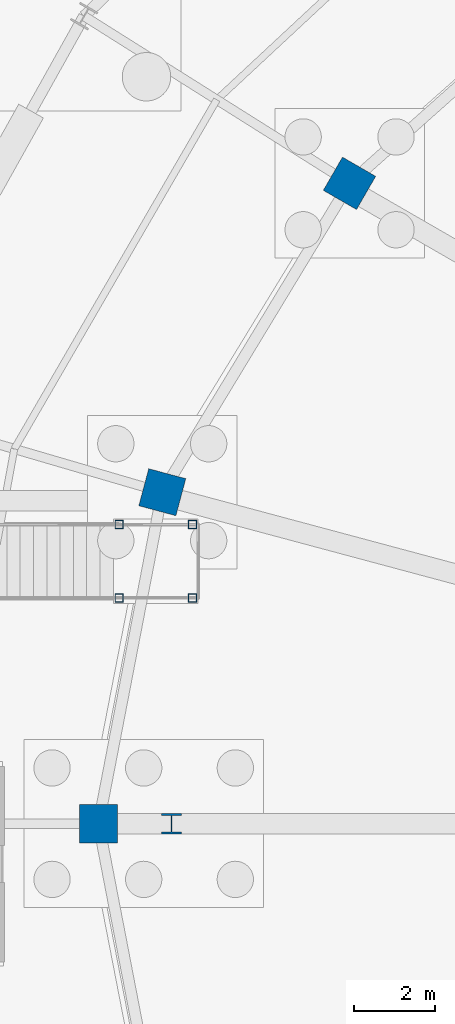
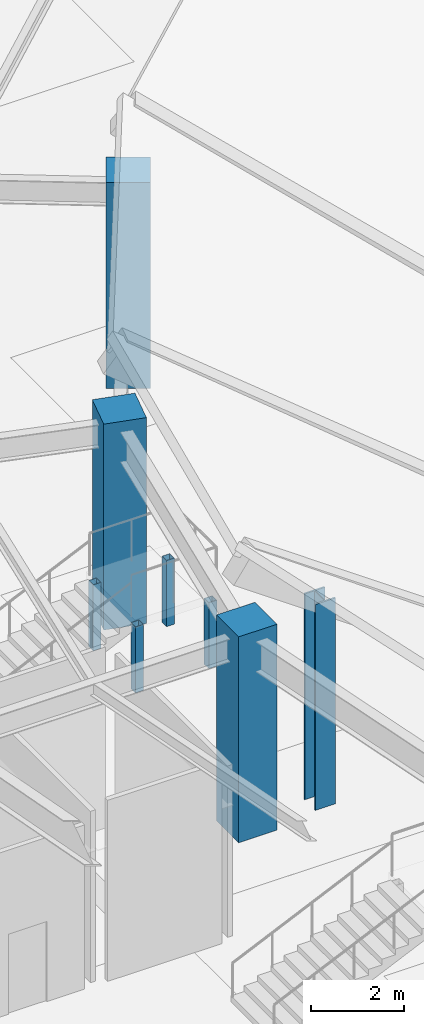
# One storey, part 19 of 93: 8 columns.
"""IFC4 building model written with IfcOpenShell, lengths in metres."""

import ifcopenshell
import ifcopenshell.guid

model = None  # the IFC model being written
_history = None  # IfcOwnerHistory: only IFC2X3 demands one
_inside = {}  # id of a spatial element -> (the spatial element, [elements in it])
_under = {}  # id of a project, library or spatial element -> (it, [spatial elements below it])
_declared = {}  # id of a project -> (the project, [libraries it declares])
_typed = {}  # id of a type object -> (the type object, [elements of that type])
_made_of = {}  # id of a material, layer set ... -> (it, [elements and type objects made of it])


def new_model(schema):
    """Start an empty IFC model of exactly this schema.

    Asked for "IFC4X3", IfcOpenShell would pick the latest addendum, in which some entities
    have other attributes; the version numbers below select the first issue.
    IFC2X3 requires an IfcOwnerHistory on every rooted entity: one is made here for all.
    """
    global model, _history
    if schema == "IFC4X3":
        model = ifcopenshell.file(schema_version=(4, 3, 0, 0))
    else:
        model = ifcopenshell.file(schema=schema)
    _inside.clear()
    _under.clear()
    _declared.clear()
    _typed.clear()
    _made_of.clear()
    _history = None
    if model.schema == "IFC2X3":
        org = make("IfcOrganization", Name="unknown")
        user = make(
            "IfcPersonAndOrganization",
            ThePerson=make("IfcPerson", FamilyName="unknown"),
            TheOrganization=org,
        )
        app = make(
            "IfcApplication",
            ApplicationDeveloper=org,
            Version="unknown",
            ApplicationFullName="unknown",
            ApplicationIdentifier="unknown",
        )
        _history = make(
            "IfcOwnerHistory",
            OwningUser=user,
            OwningApplication=app,
            ChangeAction="ADDED",
            CreationDate=0,
        )
    return model


def make(cls, **values):
    """One entity of the class cls with the attributes given. An attribute that is None is left unset."""
    return model.create_entity(
        cls, **{name: value for name, value in values.items() if value is not None}
    )


def rooted(cls, **values):
    """An entity with a GlobalId (a new one), such as an element, a storey or a relation."""
    return make(cls, GlobalId=ifcopenshell.guid.new(), OwnerHistory=_history, **values)


def si_unit(unit_type, name, prefix=None):
    """IfcSIUnit, for example si_unit("LENGTHUNIT", "METRE", prefix="MILLI")."""
    return make("IfcSIUnit", UnitType=unit_type, Prefix=prefix, Name=name)


def assignment(units):
    """IfcUnitAssignment: the units of a project."""
    return None if units is None else make("IfcUnitAssignment", Units=units)


def point(xyz):
    """IfcCartesianPoint."""
    return None if xyz is None else make("IfcCartesianPoint", Coordinates=xyz)


def direction(xyz):
    """IfcDirection."""
    return None if xyz is None else make("IfcDirection", DirectionRatios=xyz)


def frame(location, z_axis=None, x_axis=None):
    """IfcAxis2Placement3D, a coordinate frame: its origin and axes. An axis left out is left unset."""
    return make(
        "IfcAxis2Placement3D",
        Location=point(location),
        Axis=direction(z_axis),
        RefDirection=direction(x_axis),
    )


def frame_2d(location, x_axis=None):
    """IfcAxis2Placement2D, a coordinate frame in the plane: its origin and x axis."""
    return make(
        "IfcAxis2Placement2D", Location=point(location), RefDirection=direction(x_axis)
    )


def origin():
    """The frame at (0, 0, 0) with its axes left unset."""
    return frame((0.0, 0.0, 0.0))


def origin_2d():
    """The frame at (0, 0) in the plane with its x axis left unset."""
    return frame_2d((0.0, 0.0))


def place(relative_to, where):
    """IfcLocalPlacement: puts the frame where relative to a parent placement (None: the world)."""
    return make(
        "IfcLocalPlacement", PlacementRelTo=relative_to, RelativePlacement=where
    )


def context(
    kind, dimensions, precision=None, world=None, true_north=None, identifier=None
):
    """IfcGeometricRepresentationContext, for example the 3D "Model" context."""
    return make(
        "IfcGeometricRepresentationContext",
        ContextIdentifier=identifier,
        ContextType=kind,
        CoordinateSpaceDimension=dimensions,
        Precision=precision,
        WorldCoordinateSystem=world,
        TrueNorth=true_north,
    )


def subcontext(parent, identifier, kind, view, scale=None):
    """IfcGeometricRepresentationSubContext, for example "Body" below "Model"."""
    return make(
        "IfcGeometricRepresentationSubContext",
        ContextIdentifier=identifier,
        ContextType=kind,
        ParentContext=parent,
        TargetScale=scale,
        TargetView=view,
    )


def project(units=None, contexts=None):
    """IfcProject with its units and contexts."""
    return rooted(
        "IfcProject",
        Name="project",
        RepresentationContexts=contexts,
        UnitsInContext=assignment(units),
    )


def spatial(cls, under=None, at=None, **own):
    """A site, building, storey or space (cls), placed at a placement, below another one or the project."""
    s = rooted(cls, ObjectPlacement=at, **own)
    if under is not None:
        _under.setdefault(under.id(), (under, []))[1].append(s)
    return s


def profile(cls, at=None, kind="AREA", **sizes):
    """A parametric profile (cls). Its sizes go by their IFC names, for example OverallWidth=200.0."""
    return make(cls, ProfileType=kind, Position=at, **sizes)


def rectangle(**sizes):
    """IfcRectangleProfileDef."""
    return profile("IfcRectangleProfileDef", **sizes)


def hollow_rectangle(**sizes):
    """IfcRectangleHollowProfileDef."""
    return profile("IfcRectangleHollowProfileDef", **sizes)


def i_section(**sizes):
    """IfcIShapeProfileDef."""
    return profile("IfcIShapeProfileDef", **sizes)


def extrude(swept, where, along, depth):
    """IfcExtrudedAreaSolid: the profile swept, set in the frame where, extruded along a direction by depth."""
    return make(
        "IfcExtrudedAreaSolid",
        SweptArea=swept,
        Position=where,
        ExtrudedDirection=direction(along),
        Depth=depth,
    )


def shape(context_of_items, identifier, shape_type, items):
    """IfcShapeRepresentation: the items that make up one representation, for example the "Body"."""
    return make(
        "IfcShapeRepresentation",
        ContextOfItems=context_of_items,
        RepresentationIdentifier=identifier,
        RepresentationType=shape_type,
        Items=items,
    )


def material(Name=None, Category=None):
    """IfcMaterial."""
    return make("IfcMaterial", Name=Name, Category=Category)


def material_profile(
    of_material, cross_section, Name=None, Category=None, Priority=None
):
    """IfcMaterialProfile: a cross section and its material."""
    return make(
        "IfcMaterialProfile",
        Name=Name,
        Material=of_material,
        Profile=cross_section,
        Priority=Priority,
        Category=Category,
    )


def profile_set(profiles, Name=None, composite=None):
    """IfcMaterialProfileSet."""
    return make(
        "IfcMaterialProfileSet",
        Name=Name,
        MaterialProfiles=profiles,
        CompositeProfile=composite,
    )


def made_of(thing, what):
    """Note that an element or type object is made of a material, layer set ...; save() writes the relation."""
    if what is not None:
        _made_of.setdefault(what.id(), (what, []))[1].append(thing)
    return thing


def type_object(cls, material=None, **own):
    """A type object (cls), such as IfcWallType, which elements share."""
    return made_of(rooted(cls, **own), material)


def element(
    cls,
    number,
    at=None,
    inside=None,
    cuts=None,
    type_object=None,
    material=None,
    context=None,
    identifier="Body",
    shape_type=None,
    held_by="IfcProductDefinitionShape",
    body=None,
    shapes=None,
    **own,
):
    """One element of the class cls, such as IfcWall. Its Tag is "e" and its number.

    at: its placement. inside: the storey or other place that contains it. cuts: it is an
    opening in that element (IfcRelVoidsElement). A single representation is given by context,
    identifier, shape_type and body (its items); several are given by shapes. held_by: the class
    of the entity that holds the representations. save() writes the other relations.
    """
    e = rooted(cls, Tag="e%d" % number, ObjectPlacement=at, **own)
    if body is not None:
        shapes = [shape(context, identifier, shape_type, body)]
    if shapes is not None:
        e.Representation = make(held_by, Representations=shapes)
    if inside is not None:
        _inside.setdefault(inside.id(), (inside, []))[1].append(e)
    if cuts is not None:
        rooted(
            "IfcRelVoidsElement", RelatingBuildingElement=cuts, RelatedOpeningElement=e
        )
    if type_object is not None:
        _typed.setdefault(type_object.id(), (type_object, []))[1].append(e)
    return made_of(e, material)


def aggregate(whole, parts):
    """IfcRelAggregates: a whole, such as a stair, and the parts it consists of."""
    return rooted("IfcRelAggregates", RelatingObject=whole, RelatedObjects=parts)


def save(model, path):
    """Write the relations noted so far, then the file.

    IfcRelAggregates (storeys below a building ...), IfcRelContainedInSpatialStructure (elements
    in a storey), IfcRelDefinesByType, IfcRelAssociatesMaterial and IfcRelDeclares: one each for
    every whole, place, type object, material and project.
    """
    for whole, parts in _under.values():
        aggregate(whole, parts)
    for where, things in _inside.values():
        rooted(
            "IfcRelContainedInSpatialStructure",
            RelatedElements=things,
            RelatingStructure=where,
        )
    for kind, things in _typed.values():
        rooted("IfcRelDefinesByType", RelatedObjects=things, RelatingType=kind)
    for what, things in _made_of.values():
        rooted("IfcRelAssociatesMaterial", RelatedObjects=things, RelatingMaterial=what)
    for by, libraries in _declared.values():
        rooted("IfcRelDeclares", RelatingContext=by, RelatedDefinitions=libraries)
    model.write(path)


model = new_model("IFC4")

# Units and contexts
model_context = context("Model", 3, precision=1e-05, world=origin(), true_north=direction((0.0, 1.0)))
body_context = subcontext(model_context, "Body", "Model", "MODEL_VIEW")
ifc_project = project(units=[si_unit("LENGTHUNIT", "METRE"), si_unit("AREAUNIT", "SQUARE_METRE"), si_unit("VOLUMEUNIT", "CUBIC_METRE"), si_unit("PLANEANGLEUNIT", "RADIAN"), si_unit("MASSUNIT", "GRAM", prefix="KILO")], contexts=[model_context])

# Site, building, storey
site_placement = place(None, origin())
site = spatial("IfcSite", under=ifc_project, at=site_placement, CompositionType="ELEMENT")
building_placement = place(site_placement, origin())
building = spatial("IfcBuilding", under=site, at=building_placement, Name="Kalgoora Escarpment Arena", CompositionType="ELEMENT")
storey_placement = place(building_placement, origin())
storey = spatial("IfcBuildingStorey", under=building, at=storey_placement, Name="L00", CompositionType="ELEMENT", Elevation=0.0)

# Columns
ifc_material_1 = material(Name="Structural steel Grade 350 (350 MPa)", Category="steel")
ifc_material_profile_1 = material_profile(ifc_material_1, i_section(OverallWidth=0.5, OverallDepth=0.5, WebThickness=0.02490234375, FlangeThickness=0.0419921875, at=origin_2d()))
ifc_profile_set_1 = profile_set([ifc_material_profile_1], Name="Structural steel Grade 350 (350 MPa)")
column_type_1 = type_object("IfcColumnType", Name="COL-COL-500WC440", PredefinedType="COLUMN", material=ifc_profile_set_1)
column_placement = place(storey_placement, frame((47.800048828125, 64.0, 0.0), z_axis=(0.0, 0.0, 1.0), x_axis=(-1.0, 0.0, 0.0)))
element("IfcColumn", 1, at=column_placement, inside=storey, type_object=column_type_1, Name="L00 structural column COL-TSPINE-S05", PredefinedType="COLUMN", context=body_context, shape_type="SweptSolid", body=[
    extrude(i_section(OverallWidth=0.5, OverallDepth=0.5, WebThickness=0.02490234375, FlangeThickness=0.0419921875, at=origin_2d()), origin(), (0.0, 0.0, 1.0), 5.39990234375),
])
ifc_material_2 = material(Name="Concrete N50 (fc' 50 MPa)", Category="concrete")
ifc_material_profile_2 = material_profile(ifc_material_2, rectangle(XDim=0.949951171875, YDim=0.949951171875, at=origin_2d()))
ifc_profile_set_2 = profile_set([ifc_material_profile_2], Name="Concrete N50 (fc' 50 MPa)")
column_type_2 = type_object("IfcColumnType", Name="COL-COL-RC950x950", PredefinedType="COLUMN", material=ifc_profile_set_2)
for number, where, z_axis, x_axis, name in (
    (2, (52.207763671875, 79.860107421875, 0.0), (0.0, 0.0, 1.0), (-0.866025403784, 0.5, 0.0), "L00 structural column COL-RMID-R11"),
    (3, (47.5712890625, 72.209716796875, 0.0), (0.0, 0.0, 1.0), (-0.965925826289, 0.258819045103, 0.0), "L00 structural column COL-RMID-R12"),
    (4, (45.989990234375, 64.0, 0.0), (0.0, 0.0, 1.0), (-1.0, 0.0, 0.0), "L00 structural column COL-RMID-R13"),
):
    element("IfcColumn", number, at=place(storey_placement, frame(where, z_axis=z_axis, x_axis=x_axis)), inside=storey, type_object=column_type_2, Name=name, PredefinedType="COLUMN", context=body_context, shape_type="SweptSolid", body=[
        extrude(rectangle(XDim=0.949951171875, YDim=0.949951171875, at=origin_2d()), origin(), (0.0, 0.0, 1.0), 5.39990234375),
    ])
ifc_material_3 = material(Name="Structural steel C350 (350 MPa)", Category="steel")
ifc_material_profile_3 = material_profile(ifc_material_3, hollow_rectangle(XDim=0.199951171875, YDim=0.199951171875, WallThickness=0.009033203125, at=origin_2d()))
ifc_profile_set_3 = profile_set([ifc_material_profile_3], Name="Structural steel C350 (350 MPa)")
column_type_3 = type_object("IfcColumnType", Name="COL-VST-POST", PredefinedType="COLUMN", material=ifc_profile_set_3)
for number, where, z_axis, x_axis, name in (
    (5, (46.5, 69.590087890625, 0.0), (0.0, 0.0, 1.0), (1.0, 0.0, 0.0), "Vomitory landing support post VST10-1"),
    (6, (48.320068359375, 69.590087890625, 0.0), (0.0, 0.0, 1.0), (1.0, 0.0, 0.0), "Vomitory landing support post VST10-2"),
    (7, (46.5, 71.409912109375, 0.0), (0.0, 0.0, 1.0), (1.0, 0.0, 0.0), "Vomitory landing support post VST10-3"),
    (8, (48.320068359375, 71.409912109375, 0.0), (0.0, 0.0, 1.0), (1.0, 0.0, 0.0), "Vomitory landing support post VST10-4"),
):
    element("IfcColumn", number, at=place(storey_placement, frame(where, z_axis=z_axis, x_axis=x_axis)), inside=storey, type_object=column_type_3, Name=name, PredefinedType="COLUMN", context=body_context, shape_type="SweptSolid", body=[
        extrude(hollow_rectangle(XDim=0.199951171875, YDim=0.199951171875, WallThickness=0.009033203125, at=origin_2d()), origin(), (0.0, 0.0, 1.0), 1.72998046875),
    ])

save(model, "model.ifc")
